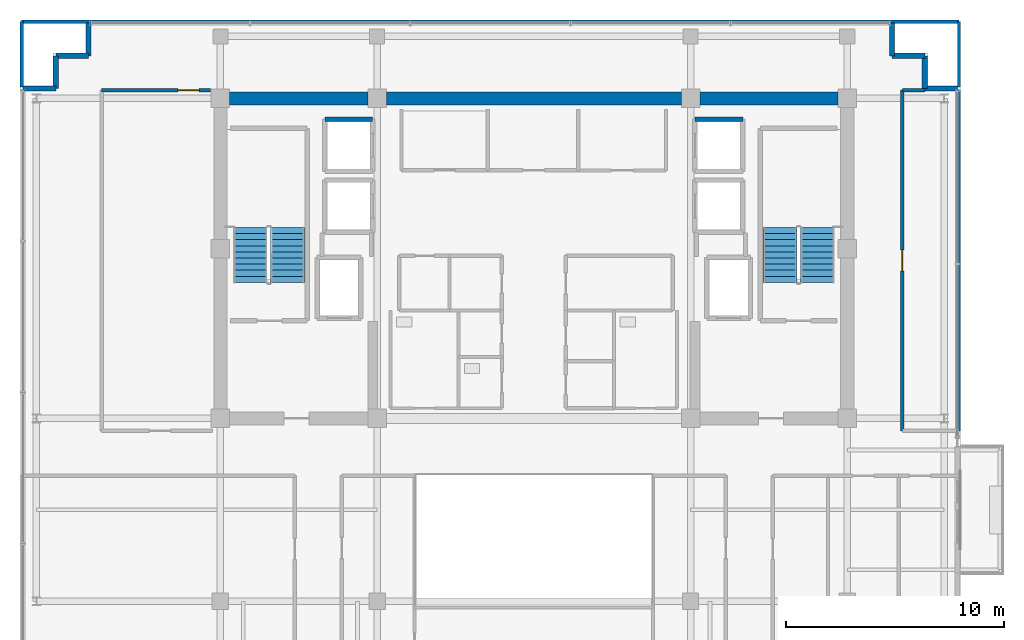
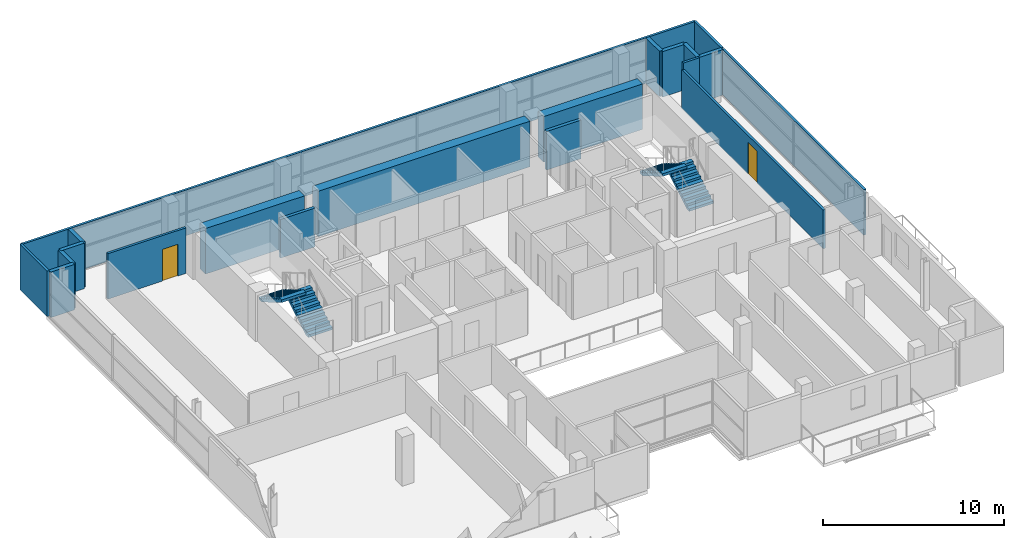
# One storey, part 19 of 22: 20 walls, 4 stair flights, 2 doors, 2 openings, 2 elements without a shape of their own.
"""IFC4 building model written with IfcOpenShell, lengths in metres."""

import ifcopenshell
import ifcopenshell.guid

model = None  # the IFC model being written
_history = None  # IfcOwnerHistory: only IFC2X3 demands one
_inside = {}  # id of a spatial element -> (the spatial element, [elements in it])
_under = {}  # id of a project, library or spatial element -> (it, [spatial elements below it])
_declared = {}  # id of a project -> (the project, [libraries it declares])
_typed = {}  # id of a type object -> (the type object, [elements of that type])
_made_of = {}  # id of a material, layer set ... -> (it, [elements and type objects made of it])


def new_model(schema):
    """Start an empty IFC model of exactly this schema.

    Asked for "IFC4X3", IfcOpenShell would pick the latest addendum, in which some entities
    have other attributes; the version numbers below select the first issue.
    IFC2X3 requires an IfcOwnerHistory on every rooted entity: one is made here for all.
    """
    global model, _history
    if schema == "IFC4X3":
        model = ifcopenshell.file(schema_version=(4, 3, 0, 0))
    else:
        model = ifcopenshell.file(schema=schema)
    _inside.clear()
    _under.clear()
    _declared.clear()
    _typed.clear()
    _made_of.clear()
    _history = None
    if model.schema == "IFC2X3":
        org = make("IfcOrganization", Name="unknown")
        user = make(
            "IfcPersonAndOrganization",
            ThePerson=make("IfcPerson", FamilyName="unknown"),
            TheOrganization=org,
        )
        app = make(
            "IfcApplication",
            ApplicationDeveloper=org,
            Version="unknown",
            ApplicationFullName="unknown",
            ApplicationIdentifier="unknown",
        )
        _history = make(
            "IfcOwnerHistory",
            OwningUser=user,
            OwningApplication=app,
            ChangeAction="ADDED",
            CreationDate=0,
        )
    return model


def make(cls, **values):
    """One entity of the class cls with the attributes given. An attribute that is None is left unset."""
    return model.create_entity(
        cls, **{name: value for name, value in values.items() if value is not None}
    )


def rooted(cls, **values):
    """An entity with a GlobalId (a new one), such as an element, a storey or a relation."""
    return make(cls, GlobalId=ifcopenshell.guid.new(), OwnerHistory=_history, **values)


def si_unit(unit_type, name, prefix=None):
    """IfcSIUnit, for example si_unit("LENGTHUNIT", "METRE", prefix="MILLI")."""
    return make("IfcSIUnit", UnitType=unit_type, Prefix=prefix, Name=name)


def assignment(units):
    """IfcUnitAssignment: the units of a project."""
    return None if units is None else make("IfcUnitAssignment", Units=units)


def point(xyz):
    """IfcCartesianPoint."""
    return None if xyz is None else make("IfcCartesianPoint", Coordinates=xyz)


def direction(xyz):
    """IfcDirection."""
    return None if xyz is None else make("IfcDirection", DirectionRatios=xyz)


def frame(location, z_axis=None, x_axis=None):
    """IfcAxis2Placement3D, a coordinate frame: its origin and axes. An axis left out is left unset."""
    return make(
        "IfcAxis2Placement3D",
        Location=point(location),
        Axis=direction(z_axis),
        RefDirection=direction(x_axis),
    )


def frame_2d(location, x_axis=None):
    """IfcAxis2Placement2D, a coordinate frame in the plane: its origin and x axis."""
    return make(
        "IfcAxis2Placement2D", Location=point(location), RefDirection=direction(x_axis)
    )


def origin():
    """The frame at (0, 0, 0) with its axes left unset."""
    return frame((0.0, 0.0, 0.0))


def place(relative_to, where):
    """IfcLocalPlacement: puts the frame where relative to a parent placement (None: the world)."""
    return make(
        "IfcLocalPlacement", PlacementRelTo=relative_to, RelativePlacement=where
    )


def context(
    kind, dimensions, precision=None, world=None, true_north=None, identifier=None
):
    """IfcGeometricRepresentationContext, for example the 3D "Model" context."""
    return make(
        "IfcGeometricRepresentationContext",
        ContextIdentifier=identifier,
        ContextType=kind,
        CoordinateSpaceDimension=dimensions,
        Precision=precision,
        WorldCoordinateSystem=world,
        TrueNorth=true_north,
    )


def subcontext(parent, identifier, kind, view, scale=None):
    """IfcGeometricRepresentationSubContext, for example "Body" below "Model"."""
    return make(
        "IfcGeometricRepresentationSubContext",
        ContextIdentifier=identifier,
        ContextType=kind,
        ParentContext=parent,
        TargetScale=scale,
        TargetView=view,
    )


def project(units=None, contexts=None):
    """IfcProject with its units and contexts."""
    return rooted(
        "IfcProject",
        Name="project",
        RepresentationContexts=contexts,
        UnitsInContext=assignment(units),
    )


def spatial(cls, under=None, at=None, **own):
    """A site, building, storey or space (cls), placed at a placement, below another one or the project."""
    s = rooted(cls, ObjectPlacement=at, **own)
    if under is not None:
        _under.setdefault(under.id(), (under, []))[1].append(s)
    return s


def polyline(points):
    """IfcPolyline through the points."""
    return make("IfcPolyline", Points=[point(p) for p in points])


def profile(cls, at=None, kind="AREA", **sizes):
    """A parametric profile (cls). Its sizes go by their IFC names, for example OverallWidth=200.0."""
    return make(cls, ProfileType=kind, Position=at, **sizes)


def rectangle(**sizes):
    """IfcRectangleProfileDef."""
    return profile("IfcRectangleProfileDef", **sizes)


def outline(outer, holes=None, kind="AREA"):
    """IfcArbitraryClosedProfileDef: a profile drawn as a closed curve; with holes, ...WithVoids."""
    if holes is None:
        return make("IfcArbitraryClosedProfileDef", ProfileType=kind, OuterCurve=outer)
    return make(
        "IfcArbitraryProfileDefWithVoids",
        ProfileType=kind,
        OuterCurve=outer,
        InnerCurves=holes,
    )


def extrude(swept, where, along, depth):
    """IfcExtrudedAreaSolid: the profile swept, set in the frame where, extruded along a direction by depth."""
    return make(
        "IfcExtrudedAreaSolid",
        SweptArea=swept,
        Position=where,
        ExtrudedDirection=direction(along),
        Depth=depth,
    )


def shape(context_of_items, identifier, shape_type, items):
    """IfcShapeRepresentation: the items that make up one representation, for example the "Body"."""
    return make(
        "IfcShapeRepresentation",
        ContextOfItems=context_of_items,
        RepresentationIdentifier=identifier,
        RepresentationType=shape_type,
        Items=items,
    )


def source(mapping_origin, context_of_items, identifier, shape_type, items):
    """IfcRepresentationMap: a shape defined once, which mapped items show again and again."""
    return make(
        "IfcRepresentationMap",
        MappingOrigin=mapping_origin,
        MappedRepresentation=shape(context_of_items, identifier, shape_type, items),
    )


def transform(
    local_origin,
    x_axis=None,
    y_axis=None,
    z_axis=None,
    scale=None,
    scale2=None,
    scale3=None,
    uniform=True,
):
    """IfcCartesianTransformationOperator3D, or its non-uniform kind. x_axis, y_axis, z_axis: its Axis1, 2, 3."""
    if uniform:
        return make(
            "IfcCartesianTransformationOperator3D",
            Axis1=direction(x_axis),
            Axis2=direction(y_axis),
            LocalOrigin=point(local_origin),
            Scale=scale,
            Axis3=direction(z_axis),
        )
    return make(
        "IfcCartesianTransformationOperator3DnonUniform",
        Axis1=direction(x_axis),
        Axis2=direction(y_axis),
        LocalOrigin=point(local_origin),
        Scale=scale,
        Axis3=direction(z_axis),
        Scale2=scale2,
        Scale3=scale3,
    )


def mapped(mapping_source, mapping_target):
    """IfcMappedItem: shows the shape of a source again, moved by a transform."""
    return make(
        "IfcMappedItem", MappingSource=mapping_source, MappingTarget=mapping_target
    )


def material(Name=None, Category=None):
    """IfcMaterial."""
    return make("IfcMaterial", Name=Name, Category=Category)


def layer(
    of_material, thickness, ventilated=None, Name=None, Category=None, Priority=None
):
    """IfcMaterialLayer: one layer of a wall or slab, of a material (None: an air gap)."""
    return make(
        "IfcMaterialLayer",
        Material=of_material,
        LayerThickness=thickness,
        IsVentilated=ventilated,
        Name=Name,
        Category=Category,
        Priority=Priority,
    )


def layer_set(layers, Name=None):
    """IfcMaterialLayerSet."""
    return make("IfcMaterialLayerSet", MaterialLayers=layers, LayerSetName=Name)


def made_of(thing, what):
    """Note that an element or type object is made of a material, layer set ...; save() writes the relation."""
    if what is not None:
        _made_of.setdefault(what.id(), (what, []))[1].append(thing)
    return thing


def type_object(cls, material=None, **own):
    """A type object (cls), such as IfcWallType, which elements share."""
    return made_of(rooted(cls, **own), material)


def element(
    cls,
    number,
    at=None,
    inside=None,
    cuts=None,
    type_object=None,
    material=None,
    context=None,
    identifier="Body",
    shape_type=None,
    held_by="IfcProductDefinitionShape",
    body=None,
    shapes=None,
    **own,
):
    """One element of the class cls, such as IfcWall. Its Tag is "e" and its number.

    at: its placement. inside: the storey or other place that contains it. cuts: it is an
    opening in that element (IfcRelVoidsElement). A single representation is given by context,
    identifier, shape_type and body (its items); several are given by shapes. held_by: the class
    of the entity that holds the representations. save() writes the other relations.
    """
    e = rooted(cls, Tag="e%d" % number, ObjectPlacement=at, **own)
    if body is not None:
        shapes = [shape(context, identifier, shape_type, body)]
    if shapes is not None:
        e.Representation = make(held_by, Representations=shapes)
    if inside is not None:
        _inside.setdefault(inside.id(), (inside, []))[1].append(e)
    if cuts is not None:
        rooted(
            "IfcRelVoidsElement", RelatingBuildingElement=cuts, RelatedOpeningElement=e
        )
    if type_object is not None:
        _typed.setdefault(type_object.id(), (type_object, []))[1].append(e)
    return made_of(e, material)


def fill(opening, filler):
    """IfcRelFillsElement: the door or window that sits in an opening."""
    return rooted(
        "IfcRelFillsElement",
        RelatingOpeningElement=opening,
        RelatedBuildingElement=filler,
    )


def aggregate(whole, parts):
    """IfcRelAggregates: a whole, such as a stair, and the parts it consists of."""
    return rooted("IfcRelAggregates", RelatingObject=whole, RelatedObjects=parts)


def save(model, path):
    """Write the relations noted so far, then the file.

    IfcRelAggregates (storeys below a building ...), IfcRelContainedInSpatialStructure (elements
    in a storey), IfcRelDefinesByType, IfcRelAssociatesMaterial and IfcRelDeclares: one each for
    every whole, place, type object, material and project.
    """
    for whole, parts in _under.values():
        aggregate(whole, parts)
    for where, things in _inside.values():
        rooted(
            "IfcRelContainedInSpatialStructure",
            RelatedElements=things,
            RelatingStructure=where,
        )
    for kind, things in _typed.values():
        rooted("IfcRelDefinesByType", RelatedObjects=things, RelatingType=kind)
    for what, things in _made_of.values():
        rooted("IfcRelAssociatesMaterial", RelatedObjects=things, RelatingMaterial=what)
    for by, libraries in _declared.values():
        rooted("IfcRelDeclares", RelatingContext=by, RelatedDefinitions=libraries)
    model.write(path)


model = new_model("IFC4")

# Units and contexts
model_context = context("Model", 3, precision=1e-05, world=origin(), true_north=direction((0.0, 1.0)))
body_context = subcontext(model_context, "Body", "Model", "MODEL_VIEW")
ifc_project = project(units=[si_unit("LENGTHUNIT", "METRE"), si_unit("AREAUNIT", "SQUARE_METRE"), si_unit("VOLUMEUNIT", "CUBIC_METRE"), si_unit("PLANEANGLEUNIT", "RADIAN"), si_unit("MASSUNIT", "GRAM", prefix="KILO")], contexts=[model_context])

# Site, building, storey
site_placement = place(None, origin())
site = spatial("IfcSite", under=ifc_project, at=site_placement, CompositionType="ELEMENT")
building_placement = place(site_placement, origin())
building = spatial("IfcBuilding", under=site, at=building_placement, Name="Zarnakvel Exchange Tower", CompositionType="ELEMENT")
storey_placement = place(building_placement, frame((0.0, 0.0, 225.39990234375)))
storey = spatial("IfcBuildingStorey", under=building, at=storey_placement, Name="L63", CompositionType="ELEMENT", Elevation=225.39990234375)

# Walls
ifc_material_1 = material(Name="Concrete C50/60", Category="concrete")
ifc_layer_1 = layer(ifc_material_1, 0.60009765625)
ifc_layer_set_1 = layer_set([ifc_layer_1], Name="Concrete C50/60")
wall_type_1 = type_object("IfcWallType", Name="CW-C5", PredefinedType="SHEAR", material=ifc_layer_set_1)
wall_1_placement = place(storey_placement, frame((-13.97509765625, 13.5, 0.0), z_axis=(0.0, 0.0, 1.0), x_axis=(1.0, 0.0, 0.0)))
element("IfcWall", 1, at=wall_1_placement, inside=storey, type_object=wall_type_1, Name="L63 Rear Core Shear Wall N1 (CW-C5)", PredefinedType="SHEAR", context=body_context, shape_type="SweptSolid", body=[
    extrude(rectangle(XDim=6.35009765625, YDim=0.60009765625, at=frame_2d((3.175048828125, 0.0))), origin(), (0.0, 0.0, 1.0), 3.0751953125),
])
wall_2_placement = place(storey_placement, frame((-6.77490234375, 13.5, 0.0), z_axis=(0.0, 0.0, 1.0), x_axis=(1.0, 0.0, 0.0)))
element("IfcWall", 2, at=wall_2_placement, inside=storey, type_object=wall_type_1, Name="L63 Rear Core Shear Wall N2 (CW-C5)", PredefinedType="SHEAR", context=body_context, shape_type="SweptSolid", body=[
    extrude(rectangle(XDim=13.5498046875, YDim=0.60009765625, at=frame_2d((6.77490234375, 0.0))), origin(), (0.0, 0.0, 1.0), 3.0751953125),
])
wall_3_placement = place(storey_placement, frame((7.625, 13.5, 0.0), z_axis=(0.0, 0.0, 1.0), x_axis=(1.0, 0.0, 0.0)))
element("IfcWall", 3, at=wall_3_placement, inside=storey, type_object=wall_type_1, Name="L63 Rear Core Shear Wall N3 (CW-C5)", PredefinedType="SHEAR", context=body_context, shape_type="SweptSolid", body=[
    extrude(rectangle(XDim=6.35009765625, YDim=0.60009765625, at=frame_2d((3.175048828125, 0.0))), origin(), (0.0, 0.0, 1.0), 3.0751953125),
])
ifc_material_2 = material(Name="Precast concrete C40/50", Category="concrete")
ifc_layer_2 = layer(ifc_material_2, 0.239990234375)
ifc_layer_set_2 = layer_set([ifc_layer_2], Name="Precast concrete C40/50")
wall_type_2 = type_object("IfcWallType", Name="EW-02", PredefinedType="SOLIDWALL", material=ifc_layer_set_2)
for number, where, z_axis, x_axis, name in (
    (4, (-21.9599609375, 13.9599609375, 0.0), (0.0, 0.0, 1.0), (-1.0, 0.0, 0.0), "L63 Exterior Precast Spandrel Wall EWC-L63-01 (EW-02)"),
    (5, (-21.9599609375, 15.4599609375, 0.0), (0.0, 0.0, 1.0), (0.0, -1.0, 0.0), "L63 Exterior Precast Spandrel Wall EWC-L63-02 (EW-02)"),
    (6, (-20.4599609375, 15.4599609375, 0.0), (0.0, 0.0, 1.0), (-1.0, 0.0, 0.0), "L63 Exterior Precast Spandrel Wall EWC-L63-03 (EW-02)"),
    (7, (-20.4599609375, 16.9599609375, 0.0), (0.0, 0.0, 1.0), (0.0, -1.0, 0.0), "L63 Exterior Precast Spandrel Wall EWC-L63-04 (EW-02)"),
    (8, (16.4599609375, 15.4599609375, 0.0), (0.0, 0.0, 1.0), (0.0, 1.0, 0.0), "L63 Exterior Precast Spandrel Wall EWC-L63-05 (EW-02)"),
    (9, (17.9599609375, 15.4599609375, 0.0), (0.0, 0.0, 1.0), (-1.0, 0.0, 0.0), "L63 Exterior Precast Spandrel Wall EWC-L63-06 (EW-02)"),
    (10, (17.9599609375, 13.9599609375, 0.0), (0.0, 0.0, 1.0), (0.0, 1.0, 0.0), "L63 Exterior Precast Spandrel Wall EWC-L63-07 (EW-02)"),
    (11, (19.4599609375, 13.9599609375, 0.0), (0.0, 0.0, 1.0), (-1.0, 0.0, 0.0), "L63 Exterior Precast Spandrel Wall EWC-L63-08 (EW-02)"),
):
    element("IfcWall", number, at=place(storey_placement, frame(where, z_axis=z_axis, x_axis=x_axis)), inside=storey, type_object=wall_type_2, Name=name, PredefinedType="SOLIDWALL", context=body_context, shape_type="SweptSolid", body=[
        extrude(rectangle(XDim=1.5, YDim=0.239990234375, at=frame_2d((0.75, 0.0))), origin(), (0.0, 0.0, 1.0), 3.0751953125),
    ])

# Wall, opening, door
ifc_material_3 = material(Name="Fire-Rated Gypsum Stud Partition", Category="gypsum")
ifc_layer_3 = layer(ifc_material_3, 0.14990234375)
ifc_layer_set_3 = layer_set([ifc_layer_3], Name="Fire-Rated Gypsum Stud Partition")
wall_type_3 = type_object("IfcWallType", Name="PT-01", PredefinedType="PARTITIONING", material=ifc_layer_set_3)
wall_4_placement = place(storey_placement, frame((-19.853271484375, 13.8798828125, 0.0), z_axis=(0.0, 0.0, 1.0), x_axis=(1.0, 0.0, 0.0)))
wall_4 = element("IfcWall", 12, at=wall_4_placement, inside=storey, type_object=wall_type_3, Name="L63 Partition Wall PWALL-L63-069 (PT-01)", PredefinedType="PARTITIONING", context=body_context, shape_type="SweptSolid", body=[
    extrude(rectangle(XDim=5.00830078125, YDim=0.14990234375, at=frame_2d((2.504150390625, 0.0))), origin(), (0.0, 0.0, 1.0), 3.0751953125),
])
opening_1_placement = place(wall_4_placement, frame((3.498291015625, 0.0, 0.0)))
opening_1 = element("IfcOpeningElement", 13, at=opening_1_placement, cuts=wall_4, Name="Opening D-L63-26", PredefinedType="OPENING", context=body_context, shape_type="SweptSolid", body=[
    extrude(rectangle(XDim=0.97998046875, YDim=2.14990234375, at=frame_2d((0.489990234375, 1.074951171875))), frame((0.0, 0.0849609375, 0.0), z_axis=(0.0, -1.0, 0.0), x_axis=(1.0, 0.0, 0.0)), (0.0, 0.0, 1.0), 0.169921875),
])
ifc_material_4 = material(Name="Timber Acoustic Veneer", Category="wood")
door_type = type_object("IfcDoorType", Name="DT-05", OperationType="NOTDEFINED", PredefinedType="DOOR", material=ifc_material_4)
shared_shape = source(origin(), body_context, "Body", "SweptSolid", [
    extrude(rectangle(XDim=0.97998046875, YDim=2.14990234375, at=frame_2d((0.489990234375, 1.074951171875))), frame((0.0, 0.02490234375, 0.0), z_axis=(0.0, -1.0, 0.0), x_axis=(1.0, 0.0, 0.0)), (0.0, 0.0, 1.0), 0.050048828125),
])
door_1_placement = place(opening_1_placement, origin())
door_1 = element("IfcDoor", 14, at=door_1_placement, inside=storey, type_object=door_type, Name="L63 Compliance Office Door D-L63-26", OperationType="SINGLE_SWING_RIGHT", OverallHeight=2.14990234375, OverallWidth=0.97998046875, PredefinedType="DOOR", context=body_context, shape_type="MappedRepresentation", body=[
    mapped(shared_shape, transform((0.0, 0.0, 0.0), x_axis=(1.0, 0.0, 0.0), y_axis=(0.0, 1.0, 0.0), z_axis=(0.0, 0.0, 1.0), scale=1.0)),
])
fill(opening_1, door_1)

# Wall
wall_5_placement = place(storey_placement, frame((16.929931640625, 13.8798828125, 0.0), z_axis=(0.0, 0.0, 1.0), x_axis=(1.0, 0.0, 0.0)))
element("IfcWall", 15, at=wall_5_placement, inside=storey, type_object=wall_type_3, Name="L63 Partition Wall PWALL-L63-072 (PT-01)", PredefinedType="PARTITIONING", context=body_context, shape_type="SweptSolid", body=[
    extrude(rectangle(XDim=1.030029296875, YDim=0.14990234375, at=frame_2d((0.51513671875, 0.0))), origin(), (0.0, 0.0, 1.0), 3.0751953125),
])

# Wall, opening, door
wall_6_placement = place(storey_placement, frame((16.929931640625, -1.77001953125, 0.0), z_axis=(0.0, 0.0, 1.0), x_axis=(0.0, 1.0, 0.0)))
wall_6 = element("IfcWall", 16, at=wall_6_placement, inside=storey, type_object=wall_type_3, Name="L63 Partition Wall PWALL-L63-073 (PT-01)", PredefinedType="PARTITIONING", context=body_context, shape_type="SweptSolid", body=[
    extrude(rectangle(XDim=15.64990234375, YDim=0.14990234375, at=frame_2d((7.824951171875, 0.0))), origin(), (0.0, 0.0, 1.0), 2.614990234375),
])
opening_2_placement = place(wall_6_placement, frame((7.3349609375, 0.0, 0.0)))
opening_2 = element("IfcOpeningElement", 17, at=opening_2_placement, cuts=wall_6, Name="Opening D-L63-25", PredefinedType="OPENING", context=body_context, shape_type="SweptSolid", body=[
    extrude(rectangle(XDim=0.97998046875, YDim=2.14990234375, at=frame_2d((0.489990234375, 1.074951171875))), frame((0.0, 0.0849609375, 0.0), z_axis=(0.0, -1.0, 0.0), x_axis=(1.0, 0.0, 0.0)), (0.0, 0.0, 1.0), 0.169921875),
])
door_2_placement = place(opening_2_placement, origin())
door_2 = element("IfcDoor", 18, at=door_2_placement, inside=storey, type_object=door_type, Name="L63 Staff Pantry Door D-L63-25", OperationType="SINGLE_SWING_LEFT", OverallHeight=2.14990234375, OverallWidth=0.97998046875, PredefinedType="DOOR", context=body_context, shape_type="MappedRepresentation", body=[
    mapped(shared_shape, transform((0.0, 0.0, 0.0), x_axis=(1.0, 0.0, 0.0), y_axis=(0.0, 1.0, 0.0), z_axis=(0.0, 0.0, 1.0), scale=1.0)),
])
fill(opening_2, door_2)

# Walls
wall_7_placement = place(storey_placement, frame((19.530029296875, 13.8798828125, 0.0), z_axis=(0.0, 0.0, 1.0), x_axis=(0.0, -1.0, 0.0)))
element("IfcWall", 19, at=wall_7_placement, inside=storey, type_object=wall_type_3, Name="L63 Partition Wall PWALL-L63-074 (PT-01)", PredefinedType="PARTITIONING", context=body_context, shape_type="SweptSolid", body=[
    extrude(rectangle(XDim=15.64990234375, YDim=0.14990234375, at=frame_2d((7.824951171875, 0.0))), origin(), (0.0, 0.0, 1.0), 3.0751953125),
])
wall_8_placement = place(storey_placement, frame((-23.530029296875, 17.030029296875, 0.0), z_axis=(0.0, 0.0, 1.0), x_axis=(1.0, 0.0, 0.0)))
element("IfcWall", 20, at=wall_8_placement, inside=storey, type_object=wall_type_3, Name="L63 Partition Wall PWALL-L63-075 (PT-01)", PredefinedType="PARTITIONING", context=body_context, shape_type="SweptSolid", body=[
    extrude(rectangle(XDim=43.06005859375, YDim=0.14990234375, at=frame_2d((21.530029296875, 0.0))), origin(), (0.0, 0.0, 1.0), 3.0751953125),
])
for number, where, z_axis, x_axis, name in (
    (21, (-23.530029296875, 14.030029296875, 0.0), (0.0, 0.0, 1.0), (0.0, 1.0, 0.0), "L63 Partition Wall PWALL-L63-076 (PT-01)"),
    (22, (19.530029296875, 17.030029296875, 0.0), (0.0, 0.0, 1.0), (0.0, -1.0, 0.0), "L63 Partition Wall PWALL-L63-077 (PT-01)"),
):
    element("IfcWall", number, at=place(storey_placement, frame(where, z_axis=z_axis, x_axis=x_axis)), inside=storey, type_object=wall_type_3, Name=name, PredefinedType="PARTITIONING", context=body_context, shape_type="SweptSolid", body=[
        extrude(rectangle(XDim=3.0, YDim=0.14990234375, at=frame_2d((1.5, 0.0))), origin(), (0.0, 0.0, 1.0), 3.0751953125),
    ])
ifc_material_5 = material(Name="Concrete C40/50", Category="concrete")
ifc_layer_4 = layer(ifc_material_5, 0.199951171875)
ifc_layer_set_4 = layer_set([ifc_layer_4], Name="Concrete C40/50")
wall_type_4 = type_object("IfcWallType", Name="SW-01", PredefinedType="SOLIDWALL", material=ifc_layer_set_4)
for number, where, z_axis, x_axis, name in (
    (23, (-9.60009765625, 12.550048828125, 0.0), (0.0, 0.0, 1.0), (1.0, 0.0, 0.0), "L63 PL-10 Hoistway Wall North"),
    (24, (7.39990234375, 12.550048828125, 0.0), (0.0, 0.0, 1.0), (1.0, 0.0, 0.0), "L63 PL-12 Hoistway Wall North"),
):
    element("IfcWall", number, at=place(storey_placement, frame(where, z_axis=z_axis, x_axis=x_axis)), inside=storey, type_object=wall_type_4, Name=name, PredefinedType="SOLIDWALL", context=body_context, shape_type="SweptSolid", body=[
        extrude(rectangle(XDim=2.2001953125, YDim=0.199951171875, at=frame_2d((1.10009765625, 0.0))), origin(), (0.0, 0.0, 1.0), 2.614990234375),
    ])

# Stair, stair flights
stair_type = type_object("IfcStairType", Name="STR-01", PredefinedType="HALF_TURN_STAIR", material=ifc_material_5)
stair_1_placement = place(storey_placement, origin())
stair_1 = element("IfcStair", 25, at=stair_1_placement, inside=storey, type_object=stair_type, Name="L63 Protected Core Exit Stair ST-01", PredefinedType="HALF_TURN_STAIR")
stair_flight_type = type_object("IfcStairFlightType", Name="FLT-01", PredefinedType="STRAIGHT", material=ifc_material_5)
stair_flight_1_placement = place(storey_placement, frame((-11.31494140625, 5.050048828125, 0.0), z_axis=(0.0, 0.0, 1.0), x_axis=(0.0, 1.0, 0.0)))
stair_flight_1 = element("IfcStairFlight", 26, at=stair_flight_1_placement, type_object=stair_flight_type, Name="ST-01 flight 1", NumberOfRisers=10, NumberOfTreads=9, PredefinedType="STRAIGHT", RiserHeight=0.165, TreadLength=0.28, context=body_context, shape_type="SweptSolid", body=[
    extrude(outline(polyline([(0.0, 0.0), (0.0, 0.1650390625), (0.280029296875, 0.1650390625), (0.280029296875, 0.330078125), (0.56005859375, 0.330078125), (0.56005859375, 0.4951171875), (0.840087890625, 0.4951171875), (0.840087890625, 0.659912109375), (1.1201171875, 0.659912109375), (1.1201171875, 0.824951171875), (1.39990234375, 0.824951171875), (1.39990234375, 0.989990234375), (1.679931640625, 0.989990234375), (1.679931640625, 1.155029296875), (1.9599609375, 1.155029296875), (1.9599609375, 1.320068359375), (2.239990234375, 1.320068359375), (2.239990234375, 1.485107421875), (2.52001953125, 1.485107421875), (2.52001953125, 1.64990234375), (2.52001953125, 1.31103515625), (0.295166015625, 0.0), (0.0, 0.0)])), frame((0.0, 0.77490234375, 0.0), z_axis=(0.0, -1.0, 0.0), x_axis=(1.0, 0.0, 0.0)), (0.0, 0.0, 1.0), 1.550048828125),
])
stair_flight_2_placement = place(storey_placement, frame((-13.02490234375, 7.570068359375, 1.650146484375), z_axis=(0.0, 0.0, 1.0), x_axis=(0.0, -1.0, 0.0)))
stair_flight_2 = element("IfcStairFlight", 27, at=stair_flight_2_placement, type_object=stair_flight_type, Name="ST-01 flight 2", NumberOfRisers=10, NumberOfTreads=9, PredefinedType="STRAIGHT", RiserHeight=0.165, TreadLength=0.28, context=body_context, shape_type="SweptSolid", body=[
    extrude(outline(polyline([(0.0, 0.0), (0.0, 0.1650390625), (0.280029296875, 0.1650390625), (0.280029296875, 0.330078125), (0.56005859375, 0.330078125), (0.56005859375, 0.4951171875), (0.840087890625, 0.4951171875), (0.840087890625, 0.659912109375), (1.1201171875, 0.659912109375), (1.1201171875, 0.824951171875), (1.39990234375, 0.824951171875), (1.39990234375, 0.989990234375), (1.679931640625, 0.989990234375), (1.679931640625, 1.155029296875), (1.9599609375, 1.155029296875), (1.9599609375, 1.320068359375), (2.239990234375, 1.320068359375), (2.239990234375, 1.485107421875), (2.52001953125, 1.485107421875), (2.52001953125, 1.64990234375), (2.52001953125, 1.31103515625), (0.295166015625, 0.0), (0.0, 0.0)])), frame((0.0, 0.77490234375, 0.0), z_axis=(0.0, -1.0, 0.0), x_axis=(1.0, 0.0, 0.0)), (0.0, 0.0, 1.0), 1.550048828125),
])
aggregate(stair_1, [stair_flight_1, stair_flight_2])

stair_2_placement = place(storey_placement, origin())
stair_2 = element("IfcStair", 28, at=stair_2_placement, inside=storey, type_object=stair_type, Name="L63 Protected Core Exit Stair ST-02", PredefinedType="HALF_TURN_STAIR")
stair_flight_3_placement = place(storey_placement, frame((13.02490234375, 5.050048828125, 0.0), z_axis=(0.0, 0.0, 1.0), x_axis=(0.0, 1.0, 0.0)))
stair_flight_3 = element("IfcStairFlight", 29, at=stair_flight_3_placement, type_object=stair_flight_type, Name="ST-02 flight 1", NumberOfRisers=10, NumberOfTreads=9, PredefinedType="STRAIGHT", RiserHeight=0.165, TreadLength=0.28, context=body_context, shape_type="SweptSolid", body=[
    extrude(outline(polyline([(0.0, 0.0), (0.0, 0.1650390625), (0.280029296875, 0.1650390625), (0.280029296875, 0.330078125), (0.56005859375, 0.330078125), (0.56005859375, 0.4951171875), (0.840087890625, 0.4951171875), (0.840087890625, 0.659912109375), (1.1201171875, 0.659912109375), (1.1201171875, 0.824951171875), (1.39990234375, 0.824951171875), (1.39990234375, 0.989990234375), (1.679931640625, 0.989990234375), (1.679931640625, 1.155029296875), (1.9599609375, 1.155029296875), (1.9599609375, 1.320068359375), (2.239990234375, 1.320068359375), (2.239990234375, 1.485107421875), (2.52001953125, 1.485107421875), (2.52001953125, 1.64990234375), (2.52001953125, 1.31103515625), (0.295166015625, 0.0), (0.0, 0.0)])), frame((0.0, 0.77490234375, 0.0), z_axis=(0.0, -1.0, 0.0), x_axis=(1.0, 0.0, 0.0)), (0.0, 0.0, 1.0), 1.550048828125),
])
stair_flight_4_placement = place(storey_placement, frame((11.31494140625, 7.570068359375, 1.650146484375), z_axis=(0.0, 0.0, 1.0), x_axis=(0.0, -1.0, 0.0)))
stair_flight_4 = element("IfcStairFlight", 30, at=stair_flight_4_placement, type_object=stair_flight_type, Name="ST-02 flight 2", NumberOfRisers=10, NumberOfTreads=9, PredefinedType="STRAIGHT", RiserHeight=0.165, TreadLength=0.28, context=body_context, shape_type="SweptSolid", body=[
    extrude(outline(polyline([(0.0, 0.0), (0.0, 0.1650390625), (0.280029296875, 0.1650390625), (0.280029296875, 0.330078125), (0.56005859375, 0.330078125), (0.56005859375, 0.4951171875), (0.840087890625, 0.4951171875), (0.840087890625, 0.659912109375), (1.1201171875, 0.659912109375), (1.1201171875, 0.824951171875), (1.39990234375, 0.824951171875), (1.39990234375, 0.989990234375), (1.679931640625, 0.989990234375), (1.679931640625, 1.155029296875), (1.9599609375, 1.155029296875), (1.9599609375, 1.320068359375), (2.239990234375, 1.320068359375), (2.239990234375, 1.485107421875), (2.52001953125, 1.485107421875), (2.52001953125, 1.64990234375), (2.52001953125, 1.31103515625), (0.295166015625, 0.0), (0.0, 0.0)])), frame((0.0, 0.77490234375, 0.0), z_axis=(0.0, -1.0, 0.0), x_axis=(1.0, 0.0, 0.0)), (0.0, 0.0, 1.0), 1.550048828125),
])
aggregate(stair_2, [stair_flight_3, stair_flight_4])

save(model, "model.ifc")
